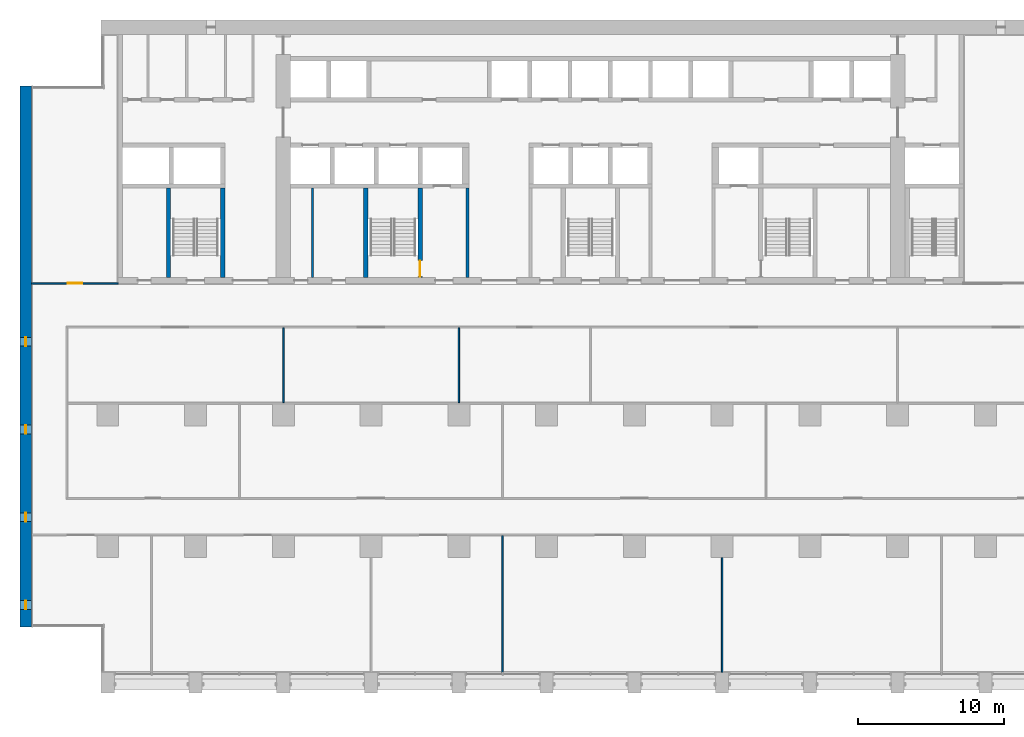
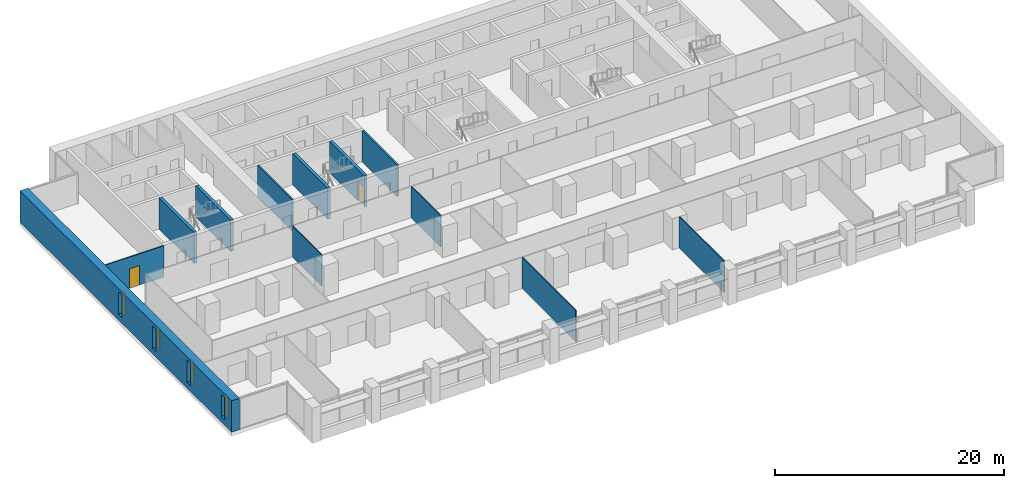
# One storey, part 8 of 18: 12 walls, 4 windows, 2 doors, 6 openings.
"""IFC4 building model written with IfcOpenShell, lengths in metres."""

from ifc_helpers import new_model, si_unit, direction, frame, frame_2d, origin, place, context, subcontext, project, spatial, rectangle, extrude, material, layer, layer_set, type_object, element, fill, save


model = new_model("IFC4")

# Units and contexts
model_context = context("Model", 3, precision=1e-05, world=origin(), true_north=direction((0.0, 1.0)))
body_context = subcontext(model_context, "Body", "Model", "MODEL_VIEW")
ifc_project = project(units=[si_unit("LENGTHUNIT", "METRE"), si_unit("AREAUNIT", "SQUARE_METRE"), si_unit("VOLUMEUNIT", "CUBIC_METRE"), si_unit("PLANEANGLEUNIT", "RADIAN"), si_unit("MASSUNIT", "GRAM", prefix="KILO")], contexts=[model_context])

# Site, building, storey
site_placement = place(None, origin())
site = spatial("IfcSite", under=ifc_project, at=site_placement, CompositionType="ELEMENT")
building_placement = place(site_placement, origin())
building = spatial("IfcBuilding", under=site, at=building_placement, Name="Calvaro Tower", CompositionType="ELEMENT")
storey_placement = place(building_placement, frame((0.0, 0.0, 82.5)))
storey = spatial("IfcBuildingStorey", under=building, at=storey_placement, Name="L20", CompositionType="ELEMENT", Elevation=82.5)

# Walls
ifc_material_1 = material(Name="Blockwork partition", Category="masonry")
ifc_layer_1 = layer(ifc_material_1, 0.14990234375)
ifc_layer_set_1 = layer_set([ifc_layer_1], Name="Blockwork partition")
wall_type_1 = type_object("IfcWallType", Name="Core partition 150 REI 120", PredefinedType="PARTITIONING", material=ifc_layer_set_1)
wall_1_placement = place(storey_placement, frame((20.0, 28.39990234375, 0.0), z_axis=(0.0, 0.0, 1.0), x_axis=(0.0, 1.0, 0.0)))
element("IfcWall", 1, at=wall_1_placement, inside=storey, type_object=wall_type_1, Name="Core partition", PredefinedType="PARTITIONING", context=body_context, shape_type="SweptSolid", body=[
    extrude(rectangle(XDim=6.10009765625, YDim=0.14990234375, at=frame_2d((3.050048828125, 0.0))), origin(), (0.0, 0.0, 1.0), 3.35009765625),
])
ifc_material_2 = material(Name="Blockwork partition", Category="masonry")
ifc_layer_2 = layer(ifc_material_2, 0.199951171875)
ifc_layer_set_2 = layer_set([ifc_layer_2], Name="Blockwork partition")
wall_type_2 = type_object("IfcWallType", Name="Core partition 200 REI 120", PredefinedType="PARTITIONING", material=ifc_layer_set_2)
wall_2_placement = place(storey_placement, frame((30.60009765625, 28.39990234375, 0.0), z_axis=(0.0, 0.0, 1.0), x_axis=(0.0, 1.0, 0.0)))
element("IfcWall", 2, at=wall_2_placement, inside=storey, type_object=wall_type_2, Name="Core partition", PredefinedType="PARTITIONING", context=body_context, shape_type="SweptSolid", body=[
    extrude(rectangle(XDim=6.10009765625, YDim=0.199951171875, at=frame_2d((3.050048828125, 0.0))), origin(), (0.0, 0.0, 1.0), 3.35009765625),
])
ifc_material_3 = material(Name="Concrete C80/95", Category="concrete")
ifc_layer_3 = layer(ifc_material_3, 0.300048828125)
ifc_layer_set_3 = layer_set([ifc_layer_3], Name="Concrete C80/95")
wall_type_3 = type_object("IfcWallType", Name="Core wall C80/95 300", PredefinedType="SHEAR", material=ifc_layer_set_3)
for number, where, z_axis, x_axis, name in (
    (3, (10.14990234375, 28.39990234375, 0.0), (0.0, 0.0, 1.0), (0.0, 1.0, 0.0), "Core wall, stair enclosure"),
    (4, (13.85009765625, 28.39990234375, 0.0), (0.0, 0.0, 1.0), (0.0, 1.0, 0.0), "Core wall, stair enclosure"),
    (5, (23.64990234375, 28.39990234375, 0.0), (0.0, 0.0, 1.0), (0.0, 1.0, 0.0), "Core wall, stair enclosure"),
):
    element("IfcWall", number, at=place(storey_placement, frame(where, z_axis=z_axis, x_axis=x_axis)), inside=storey, type_object=wall_type_3, Name=name, PredefinedType="SHEAR", context=body_context, shape_type="SweptSolid", body=[
        extrude(rectangle(XDim=6.10009765625, YDim=0.300048828125, at=frame_2d((3.050048828125, 0.0))), origin(), (0.0, 0.0, 1.0), 3.35009765625),
    ])

# Wall, opening, door
wall_3_placement = place(storey_placement, frame((27.35009765625, 28.39990234375, 0.0), z_axis=(0.0, 0.0, 1.0), x_axis=(0.0, 1.0, 0.0)))
wall_3 = element("IfcWall", 6, at=wall_3_placement, inside=storey, type_object=wall_type_3, Name="Core wall, stair enclosure", PredefinedType="SHEAR", context=body_context, shape_type="SweptSolid", body=[
    extrude(rectangle(XDim=6.10009765625, YDim=0.300048828125, at=frame_2d((3.050048828125, 0.0))), origin(), (0.0, 0.0, 1.0), 3.35009765625),
])
opening_1_placement = place(wall_3_placement, frame((0.050048828125, 0.0, 0.0)))
opening_1 = element("IfcOpeningElement", 7, at=opening_1_placement, cuts=wall_3, Name="Opening FD11D", PredefinedType="OPENING", context=body_context, shape_type="SweptSolid", body=[
    extrude(rectangle(XDim=1.10009765625, YDim=2.10009765625, at=frame_2d((0.550048828125, 1.050048828125))), frame((0.0, 0.159912109375, 0.0), z_axis=(0.0, -1.0, 0.0), x_axis=(1.0, 0.0, 0.0)), (0.0, 0.0, 1.0), 0.320068359375),
])
ifc_material_4 = material(Name="Steel door set", Category="steel")
door_type_1 = type_object("IfcDoorType", Name="Fire door 1100 FD30S", OperationType="SINGLE_SWING_LEFT", PredefinedType="DOOR", material=ifc_material_4)
door_1_placement = place(opening_1_placement, origin())
door_1 = element("IfcDoor", 8, at=door_1_placement, inside=storey, type_object=door_type_1, Name="Fire door", OperationType="SINGLE_SWING_LEFT", OverallHeight=2.10009765625, OverallWidth=1.10009765625, PredefinedType="DOOR", context=body_context, shape_type="SweptSolid", body=[
    extrude(rectangle(XDim=1.10009765625, YDim=2.10009765625, at=frame_2d((0.550048828125, 1.050048828125))), frame((0.0, 0.02490234375, 0.0), z_axis=(0.0, -1.0, 0.0), x_axis=(1.0, 0.0, 0.0)), (0.0, 0.0, 1.0), 0.050048828125),
])
fill(opening_1, door_1)

# Wall, openings, windows
ifc_material_5 = material(Name="Concrete C80/95", Category="concrete")
ifc_layer_4 = layer(ifc_material_5, 0.800048828125)
ifc_layer_set_4 = layer_set([ifc_layer_4], Name="Concrete C80/95")
wall_type_4 = type_object("IfcWallType", Name="End wall 800 C80/95", PredefinedType="SHEAR", material=ifc_layer_set_4)
wall_4_placement = place(storey_placement, frame((0.39990234375, 4.5, 0.0), z_axis=(0.0, 0.0, 1.0), x_axis=(0.0, 1.0, 0.0)))
wall_4 = element("IfcWall", 9, at=wall_4_placement, inside=storey, type_object=wall_type_4, Name="End shear wall", PredefinedType="SHEAR", context=body_context, shape_type="SweptSolid", body=[
    extrude(rectangle(XDim=37.0, YDim=0.800048828125, at=frame_2d((18.5, 0.0))), origin(), (0.0, 0.0, 1.0), 3.35009765625),
])
opening_2_placement = place(wall_4_placement, frame((1.199951171875, 0.0, 0.60009765625)))
opening_2 = element("IfcOpeningElement", 10, at=opening_2_placement, cuts=wall_4, Name="Opening WW01", PredefinedType="OPENING", context=body_context, shape_type="SweptSolid", body=[
    extrude(rectangle(XDim=0.60009765625, YDim=2.39990234375, at=frame_2d((0.300048828125, 1.199951171875))), frame((0.0, 0.409912109375, 0.0), z_axis=(0.0, -1.0, 0.0), x_axis=(1.0, 0.0, 0.0)), (0.0, 0.0, 1.0), 0.820068359375),
])
opening_3_placement = place(wall_4_placement, frame((7.199951171875, 0.0, 0.60009765625)))
opening_3 = element("IfcOpeningElement", 11, at=opening_3_placement, cuts=wall_4, Name="Opening WW02", PredefinedType="OPENING", context=body_context, shape_type="SweptSolid", body=[
    extrude(rectangle(XDim=0.60009765625, YDim=2.39990234375, at=frame_2d((0.300048828125, 1.199951171875))), frame((0.0, 0.409912109375, 0.0), z_axis=(0.0, -1.0, 0.0), x_axis=(1.0, 0.0, 0.0)), (0.0, 0.0, 1.0), 0.820068359375),
])
opening_4_placement = place(wall_4_placement, frame((13.199951171875, 0.0, 0.60009765625)))
opening_4 = element("IfcOpeningElement", 12, at=opening_4_placement, cuts=wall_4, Name="Opening WW03", PredefinedType="OPENING", context=body_context, shape_type="SweptSolid", body=[
    extrude(rectangle(XDim=0.60009765625, YDim=2.39990234375, at=frame_2d((0.300048828125, 1.199951171875))), frame((0.0, 0.409912109375, 0.0), z_axis=(0.0, -1.0, 0.0), x_axis=(1.0, 0.0, 0.0)), (0.0, 0.0, 1.0), 0.820068359375),
])
opening_5_placement = place(wall_4_placement, frame((19.199951171875, 0.0, 0.60009765625)))
opening_5 = element("IfcOpeningElement", 13, at=opening_5_placement, cuts=wall_4, Name="Opening WW04", PredefinedType="OPENING", context=body_context, shape_type="SweptSolid", body=[
    extrude(rectangle(XDim=0.60009765625, YDim=2.39990234375, at=frame_2d((0.300048828125, 1.199951171875))), frame((0.0, 0.409912109375, 0.0), z_axis=(0.0, -1.0, 0.0), x_axis=(1.0, 0.0, 0.0)), (0.0, 0.0, 1.0), 0.820068359375),
])
ifc_material_6 = material(Name="Glass", Category="glass")
window_type = type_object("IfcWindowType", Name="Slit window 600 x 2400", PartitioningType="SINGLE_PANEL", PredefinedType="WINDOW", material=ifc_material_6)
window_1_placement = place(opening_2_placement, origin())
window_1 = element("IfcWindow", 14, at=window_1_placement, inside=storey, type_object=window_type, Name="Window WW01", OverallHeight=2.39990234375, OverallWidth=0.60009765625, PartitioningType="SINGLE_PANEL", PredefinedType="WINDOW", context=body_context, shape_type="SweptSolid", body=[
    extrude(rectangle(XDim=0.60009765625, YDim=2.39990234375, at=frame_2d((0.300048828125, 1.199951171875))), frame((0.0, 0.030029296875, 0.0), z_axis=(0.0, -1.0, 0.0), x_axis=(1.0, 0.0, 0.0)), (0.0, 0.0, 1.0), 0.06005859375),
])
fill(opening_2, window_1)
window_2_placement = place(opening_3_placement, origin())
window_2 = element("IfcWindow", 15, at=window_2_placement, inside=storey, type_object=window_type, Name="Window WW02", OverallHeight=2.39990234375, OverallWidth=0.60009765625, PartitioningType="SINGLE_PANEL", PredefinedType="WINDOW", context=body_context, shape_type="SweptSolid", body=[
    extrude(rectangle(XDim=0.60009765625, YDim=2.39990234375, at=frame_2d((0.300048828125, 1.199951171875))), frame((0.0, 0.030029296875, 0.0), z_axis=(0.0, -1.0, 0.0), x_axis=(1.0, 0.0, 0.0)), (0.0, 0.0, 1.0), 0.06005859375),
])
fill(opening_3, window_2)
window_3_placement = place(opening_4_placement, origin())
window_3 = element("IfcWindow", 16, at=window_3_placement, inside=storey, type_object=window_type, Name="Window WW03", OverallHeight=2.39990234375, OverallWidth=0.60009765625, PartitioningType="SINGLE_PANEL", PredefinedType="WINDOW", context=body_context, shape_type="SweptSolid", body=[
    extrude(rectangle(XDim=0.60009765625, YDim=2.39990234375, at=frame_2d((0.300048828125, 1.199951171875))), frame((0.0, 0.030029296875, 0.0), z_axis=(0.0, -1.0, 0.0), x_axis=(1.0, 0.0, 0.0)), (0.0, 0.0, 1.0), 0.06005859375),
])
fill(opening_4, window_3)
window_4_placement = place(opening_5_placement, origin())
window_4 = element("IfcWindow", 17, at=window_4_placement, inside=storey, type_object=window_type, Name="Window WW04", OverallHeight=2.39990234375, OverallWidth=0.60009765625, PartitioningType="SINGLE_PANEL", PredefinedType="WINDOW", context=body_context, shape_type="SweptSolid", body=[
    extrude(rectangle(XDim=0.60009765625, YDim=2.39990234375, at=frame_2d((0.300048828125, 1.199951171875))), frame((0.0, 0.030029296875, 0.0), z_axis=(0.0, -1.0, 0.0), x_axis=(1.0, 0.0, 0.0)), (0.0, 0.0, 1.0), 0.06005859375),
])
fill(opening_5, window_4)

# Walls
ifc_material_7 = material(Name="Plasterboard on steel studs", Category="steel")
ifc_layer_5 = layer(ifc_material_7, 0.10009765625)
ifc_layer_set_5 = layer_set([ifc_layer_5], Name="Plasterboard on steel studs")
wall_type_5 = type_object("IfcWallType", Name="Partition 100", PredefinedType="PARTITIONING", material=ifc_layer_set_5)
for number, where, z_axis, x_axis, name in (
    (18, (18.0, 19.85009765625, 0.0), (0.0, 0.0, 1.0), (0.0, 1.0, 0.0), "Partition T14.W010"),
    (19, (30.0, 19.85009765625, 0.0), (0.0, 0.0, 1.0), (0.0, 1.0, 0.0), "Partition T14.W012"),
):
    element("IfcWall", number, at=place(storey_placement, frame(where, z_axis=z_axis, x_axis=x_axis)), inside=storey, type_object=wall_type_5, Name=name, PredefinedType="PARTITIONING", context=body_context, shape_type="SweptSolid", body=[
        extrude(rectangle(XDim=5.099853515625, YDim=0.10009765625, at=frame_2d((2.5498046875, 0.0))), origin(), (0.0, 0.0, 1.0), 3.35009765625),
    ])
wall_5_placement = place(storey_placement, frame((33.0, 1.39990234375, 0.0), z_axis=(0.0, 0.0, 1.0), x_axis=(0.0, 1.0, 0.0)))
element("IfcWall", 20, at=wall_5_placement, inside=storey, type_object=wall_type_5, Name="Partition T14.W013", PredefinedType="PARTITIONING", context=body_context, shape_type="SweptSolid", body=[
    extrude(rectangle(XDim=9.35009765625, YDim=0.10009765625, at=frame_2d((4.675048828125, 0.0))), origin(), (0.0, 0.0, 1.0), 3.35009765625),
])
wall_6_placement = place(storey_placement, frame((48.0, 1.39990234375, 0.0), z_axis=(0.0, 0.0, 1.0), x_axis=(0.0, 1.0, 0.0)))
element("IfcWall", 21, at=wall_6_placement, inside=storey, type_object=wall_type_5, Name="Partition T14.W016", PredefinedType="PARTITIONING", context=body_context, shape_type="SweptSolid", body=[
    extrude(rectangle(XDim=7.85009765625, YDim=0.10009765625, at=frame_2d((3.925048828125, 0.0))), origin(), (0.0, 0.0, 1.0), 3.35009765625),
])

# Wall, opening, door
ifc_material_8 = material(Name="Plasterboard on steel studs", Category="steel")
ifc_layer_6 = layer(ifc_material_8, 0.10009765625)
ifc_layer_set_6 = layer_set([ifc_layer_6], Name="Plasterboard on steel studs")
wall_type_6 = type_object("IfcWallType", Name="Partition 100 REI 120", PredefinedType="PARTITIONING", material=ifc_layer_set_6)
wall_7_placement = place(storey_placement, frame((0.800048828125, 28.0, 0.0), z_axis=(0.0, 0.0, 1.0), x_axis=(1.0, 0.0, 0.0)))
wall_7 = element("IfcWall", 22, at=wall_7_placement, inside=storey, type_object=wall_type_6, Name="Partition T14.W005", PredefinedType="PARTITIONING", context=body_context, shape_type="SweptSolid", body=[
    extrude(rectangle(XDim=5.89990234375, YDim=0.10009765625, at=frame_2d((2.949951171875, 0.0))), origin(), (0.0, 0.0, 1.0), 3.35009765625),
])
opening_6_placement = place(wall_7_placement, frame((2.449951171875, 0.0, 0.0)))
opening_6 = element("IfcOpeningElement", 23, at=opening_6_placement, cuts=wall_7, Name="Opening T14.018", PredefinedType="OPENING", context=body_context, shape_type="SweptSolid", body=[
    extrude(rectangle(XDim=1.0, YDim=2.10009765625, at=frame_2d((0.5, 1.050048828125))), frame((0.0, 0.06005859375, 0.0), z_axis=(0.0, -1.0, 0.0), x_axis=(1.0, 0.0, 0.0)), (0.0, 0.0, 1.0), 0.1201171875),
])
ifc_material_9 = material(Name="Timber", Category="wood")
door_type_2 = type_object("IfcDoorType", Name="Internal single door 1000 x 2100 FD60", OperationType="SINGLE_SWING_LEFT", PredefinedType="DOOR", material=ifc_material_9)
door_2_placement = place(opening_6_placement, origin())
door_2 = element("IfcDoor", 24, at=door_2_placement, inside=storey, type_object=door_type_2, Name="Door T14.018", OperationType="SINGLE_SWING_LEFT", OverallHeight=2.10009765625, OverallWidth=1.0, PredefinedType="DOOR", context=body_context, shape_type="SweptSolid", body=[
    extrude(rectangle(XDim=1.0, YDim=2.10009765625, at=frame_2d((0.5, 1.050048828125))), frame((0.0, 0.02490234375, 0.0), z_axis=(0.0, -1.0, 0.0), x_axis=(1.0, 0.0, 0.0)), (0.0, 0.0, 1.0), 0.050048828125),
])
fill(opening_6, door_2)

save(model, "model.ifc")
